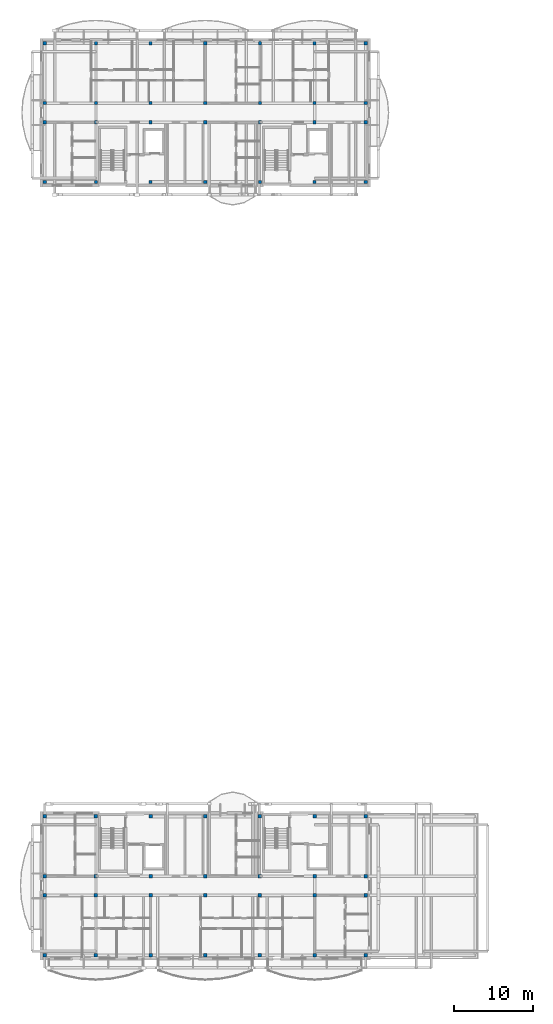
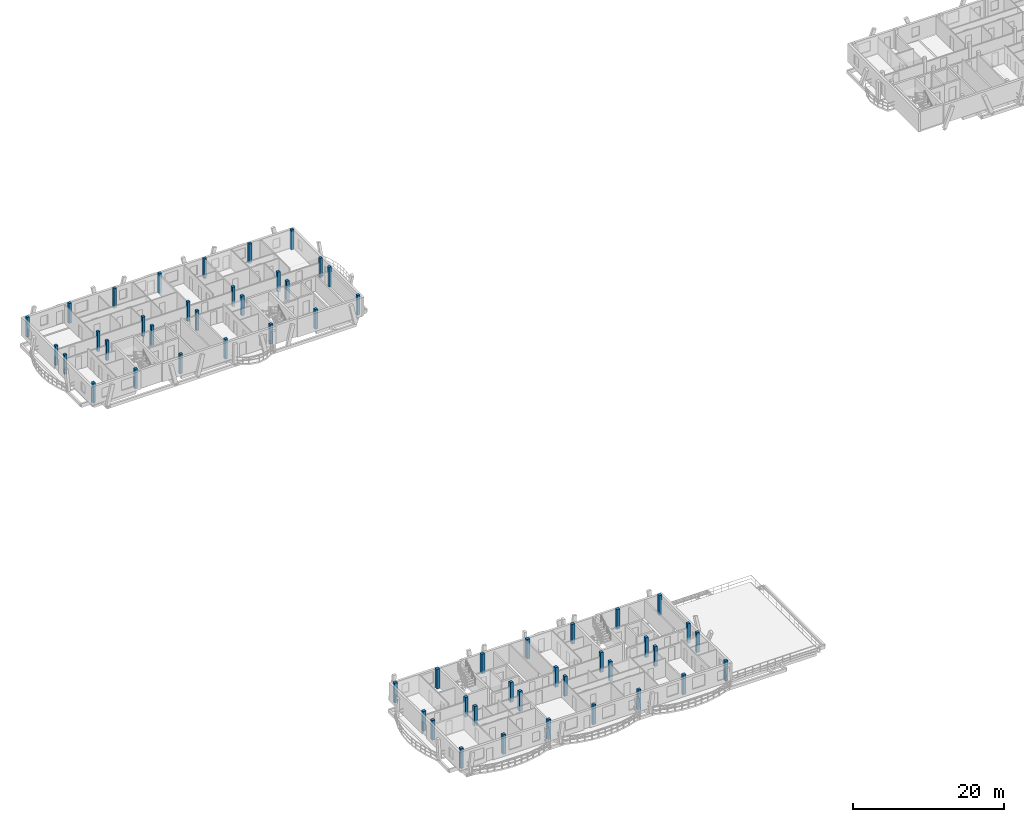
# One storey, part 1 of 33: 56 columns.
"""IFC4 building model written with IfcOpenShell, lengths in metres."""

from ifc_helpers import new_model, si_unit, direction, frame, origin, origin_2d, place, context, subcontext, project, spatial, rectangle, extrude, material, material_profile, profile_set, type_object, element, save


model = new_model("IFC4")

# Units and contexts
model_context = context("Model", 3, precision=1e-05, world=origin(), true_north=direction((0.0, 1.0)))
body_context = subcontext(model_context, "Body", "Model", "MODEL_VIEW")
ifc_project = project(units=[si_unit("LENGTHUNIT", "METRE"), si_unit("AREAUNIT", "SQUARE_METRE"), si_unit("VOLUMEUNIT", "CUBIC_METRE"), si_unit("PLANEANGLEUNIT", "RADIAN"), si_unit("MASSUNIT", "GRAM", prefix="KILO")], contexts=[model_context])

# Site, building, storey
site_placement = place(None, origin())
site = spatial("IfcSite", under=ifc_project, at=site_placement, CompositionType="ELEMENT")
building_placement = place(site_placement, origin())
building = spatial("IfcBuilding", under=site, at=building_placement, Name="Zavelmont Quarter", CompositionType="ELEMENT")
storey_placement = place(building_placement, frame((0.0, 0.0, 30.39990234375)))
storey = spatial("IfcBuildingStorey", under=building, at=storey_placement, Name="L09", CompositionType="ELEMENT", Elevation=30.39990234375)

# Columns
ifc_material = material(Name="Concrete C35/45", Category="concrete")
ifc_material_profile_1 = material_profile(ifc_material, rectangle(XDim=0.449951171875, YDim=0.449951171875, at=origin_2d()), Name="RC450X450")
ifc_profile_set_1 = profile_set([ifc_material_profile_1], Name="Concrete C35/45")
column_type_1 = type_object("IfcColumnType", Name="CL04", PredefinedType="COLUMN", material=ifc_profile_set_1)
for number, where, z_axis, x_axis, name in (
    (1, (0.43994140625, 0.43994140625, 0.0), (0.0, 0.0, 1.0), (1.0, 0.0, 0.0), "L09 column CL04 at 1/A"),
    (2, (0.43994140625, 8.0, 0.0), (0.0, 0.0, 1.0), (1.0, 0.0, 0.0), "L09 column CL04 at 1/B"),
    (3, (0.43994140625, 10.39990234375, 0.0), (0.0, 0.0, 1.0), (1.0, 0.0, 0.0), "L09 column CL04 at 1/C"),
    (4, (0.43994140625, 17.9599609375, 0.0), (0.0, 0.0, 1.0), (1.0, 0.0, 0.0), "L09 column CL04 at 1/D"),
    (5, (6.89990234375, 0.43994140625, 0.0), (0.0, 0.0, 1.0), (1.0, 0.0, 0.0), "L09 column CL04 at 2/A"),
    (6, (6.89990234375, 8.0, 0.0), (0.0, 0.0, 1.0), (1.0, 0.0, 0.0), "L09 column CL04 at 2/B"),
    (7, (6.89990234375, 10.39990234375, 0.0), (0.0, 0.0, 1.0), (1.0, 0.0, 0.0), "L09 column CL04 at 2/C"),
    (8, (6.89990234375, 17.9599609375, 0.0), (0.0, 0.0, 1.0), (1.0, 0.0, 0.0), "L09 column CL04 at 2/D"),
    (9, (13.800048828125, 0.43994140625, 0.0), (0.0, 0.0, 1.0), (1.0, 0.0, 0.0), "L09 column CL04 at 3/A"),
    (10, (13.800048828125, 8.0, 0.0), (0.0, 0.0, 1.0), (1.0, 0.0, 0.0), "L09 column CL04 at 3/B"),
    (11, (13.800048828125, 10.39990234375, 0.0), (0.0, 0.0, 1.0), (1.0, 0.0, 0.0), "L09 column CL04 at 3/C"),
    (12, (13.800048828125, 17.9599609375, 0.0), (0.0, 0.0, 1.0), (1.0, 0.0, 0.0), "L09 column CL04 at 3/D"),
    (13, (20.699951171875, 0.43994140625, 0.0), (0.0, 0.0, 1.0), (1.0, 0.0, 0.0), "L09 column CL04 at 4/A"),
    (14, (20.699951171875, 8.0, 0.0), (0.0, 0.0, 1.0), (1.0, 0.0, 0.0), "L09 column CL04 at 4/B"),
    (15, (20.699951171875, 10.39990234375, 0.0), (0.0, 0.0, 1.0), (1.0, 0.0, 0.0), "L09 column CL04 at 4/C"),
    (16, (20.699951171875, 17.9599609375, 0.0), (0.0, 0.0, 1.0), (1.0, 0.0, 0.0), "L09 column CL04 at 4/D"),
    (17, (27.60009765625, 0.43994140625, 0.0), (0.0, 0.0, 1.0), (1.0, 0.0, 0.0), "L09 column CL04 at 5/A"),
    (18, (27.60009765625, 8.0, 0.0), (0.0, 0.0, 1.0), (1.0, 0.0, 0.0), "L09 column CL04 at 5/B"),
    (19, (27.60009765625, 10.39990234375, 0.0), (0.0, 0.0, 1.0), (1.0, 0.0, 0.0), "L09 column CL04 at 5/C"),
    (20, (27.60009765625, 17.9599609375, 0.0), (0.0, 0.0, 1.0), (1.0, 0.0, 0.0), "L09 column CL04 at 5/D"),
    (21, (34.5, 0.43994140625, 0.0), (0.0, 0.0, 1.0), (1.0, 0.0, 0.0), "L09 column CL04 at 6/A"),
    (22, (34.5, 8.0, 0.0), (0.0, 0.0, 1.0), (1.0, 0.0, 0.0), "L09 column CL04 at 6/B"),
    (23, (34.5, 10.39990234375, 0.0), (0.0, 0.0, 1.0), (1.0, 0.0, 0.0), "L09 column CL04 at 6/C"),
    (24, (34.5, 17.9599609375, 0.0), (0.0, 0.0, 1.0), (1.0, 0.0, 0.0), "L09 column CL04 at 6/D"),
    (25, (40.9599609375, 0.43994140625, 0.0), (0.0, 0.0, 1.0), (1.0, 0.0, 0.0), "L09 column CL04 at 7/A"),
    (26, (40.9599609375, 8.0, 0.0), (0.0, 0.0, 1.0), (1.0, 0.0, 0.0), "L09 column CL04 at 7/B"),
    (27, (40.9599609375, 10.39990234375, 0.0), (0.0, 0.0, 1.0), (1.0, 0.0, 0.0), "L09 column CL04 at 7/C"),
    (28, (40.9599609375, 17.9599609375, 0.0), (0.0, 0.0, 1.0), (1.0, 0.0, 0.0), "L09 column CL04 at 7/D"),
):
    element("IfcColumn", number, at=place(storey_placement, frame(where, z_axis=z_axis, x_axis=x_axis)), inside=storey, type_object=column_type_1, Name=name, PredefinedType="COLUMN", context=body_context, shape_type="SweptSolid", body=[
        extrude(rectangle(XDim=0.449951171875, YDim=0.449951171875, at=origin_2d()), origin(), (0.0, 0.0, 1.0), 3.2001953125),
    ])
ifc_material_profile_2 = material_profile(ifc_material, rectangle(XDim=0.39990234375, YDim=0.39990234375, at=origin_2d()), Name="RC400X400")
ifc_profile_set_2 = profile_set([ifc_material_profile_2], Name="Concrete C35/45")
column_type_2 = type_object("IfcColumnType", Name="CL05", PredefinedType="COLUMN", material=ifc_profile_set_2)
for number, where, z_axis, x_axis, name in (
    (29, (0.43994140625, 98.0400390625, 0.0), (0.0, 0.0, 1.0), (1.0, 0.0, 0.0), "L09 column CL05 at 1/P"),
    (30, (0.43994140625, 105.60009765625, 0.0), (0.0, 0.0, 1.0), (1.0, 0.0, 0.0), "L09 column CL05 at 1/Q"),
    (31, (0.43994140625, 108.0, 0.0), (0.0, 0.0, 1.0), (1.0, 0.0, 0.0), "L09 column CL05 at 1/R"),
    (32, (0.43994140625, 115.56005859375, 0.0), (0.0, 0.0, 1.0), (1.0, 0.0, 0.0), "L09 column CL05 at 1/S"),
    (33, (6.89990234375, 98.0400390625, 0.0), (0.0, 0.0, 1.0), (1.0, 0.0, 0.0), "L09 column CL05 at 2/P"),
    (34, (6.89990234375, 105.60009765625, 0.0), (0.0, 0.0, 1.0), (1.0, 0.0, 0.0), "L09 column CL05 at 2/Q"),
    (35, (6.89990234375, 108.0, 0.0), (0.0, 0.0, 1.0), (1.0, 0.0, 0.0), "L09 column CL05 at 2/R"),
    (36, (6.89990234375, 115.56005859375, 0.0), (0.0, 0.0, 1.0), (1.0, 0.0, 0.0), "L09 column CL05 at 2/S"),
    (37, (13.800048828125, 98.0400390625, 0.0), (0.0, 0.0, 1.0), (1.0, 0.0, 0.0), "L09 column CL05 at 3/P"),
    (38, (13.800048828125, 105.60009765625, 0.0), (0.0, 0.0, 1.0), (1.0, 0.0, 0.0), "L09 column CL05 at 3/Q"),
    (39, (13.800048828125, 108.0, 0.0), (0.0, 0.0, 1.0), (1.0, 0.0, 0.0), "L09 column CL05 at 3/R"),
    (40, (13.800048828125, 115.56005859375, 0.0), (0.0, 0.0, 1.0), (1.0, 0.0, 0.0), "L09 column CL05 at 3/S"),
    (41, (20.699951171875, 98.0400390625, 0.0), (0.0, 0.0, 1.0), (1.0, 0.0, 0.0), "L09 column CL05 at 4/P"),
    (42, (20.699951171875, 105.60009765625, 0.0), (0.0, 0.0, 1.0), (1.0, 0.0, 0.0), "L09 column CL05 at 4/Q"),
    (43, (20.699951171875, 108.0, 0.0), (0.0, 0.0, 1.0), (1.0, 0.0, 0.0), "L09 column CL05 at 4/R"),
    (44, (20.699951171875, 115.56005859375, 0.0), (0.0, 0.0, 1.0), (1.0, 0.0, 0.0), "L09 column CL05 at 4/S"),
    (45, (27.60009765625, 98.0400390625, 0.0), (0.0, 0.0, 1.0), (1.0, 0.0, 0.0), "L09 column CL05 at 5/P"),
    (46, (27.60009765625, 105.60009765625, 0.0), (0.0, 0.0, 1.0), (1.0, 0.0, 0.0), "L09 column CL05 at 5/Q"),
    (47, (27.60009765625, 108.0, 0.0), (0.0, 0.0, 1.0), (1.0, 0.0, 0.0), "L09 column CL05 at 5/R"),
    (48, (27.60009765625, 115.56005859375, 0.0), (0.0, 0.0, 1.0), (1.0, 0.0, 0.0), "L09 column CL05 at 5/S"),
    (49, (34.5, 98.0400390625, 0.0), (0.0, 0.0, 1.0), (1.0, 0.0, 0.0), "L09 column CL05 at 6/P"),
    (50, (34.5, 105.60009765625, 0.0), (0.0, 0.0, 1.0), (1.0, 0.0, 0.0), "L09 column CL05 at 6/Q"),
    (51, (34.5, 108.0, 0.0), (0.0, 0.0, 1.0), (1.0, 0.0, 0.0), "L09 column CL05 at 6/R"),
    (52, (34.5, 115.56005859375, 0.0), (0.0, 0.0, 1.0), (1.0, 0.0, 0.0), "L09 column CL05 at 6/S"),
    (53, (40.9599609375, 98.0400390625, 0.0), (0.0, 0.0, 1.0), (1.0, 0.0, 0.0), "L09 column CL05 at 7/P"),
    (54, (40.9599609375, 105.60009765625, 0.0), (0.0, 0.0, 1.0), (1.0, 0.0, 0.0), "L09 column CL05 at 7/Q"),
    (55, (40.9599609375, 108.0, 0.0), (0.0, 0.0, 1.0), (1.0, 0.0, 0.0), "L09 column CL05 at 7/R"),
    (56, (40.9599609375, 115.56005859375, 0.0), (0.0, 0.0, 1.0), (1.0, 0.0, 0.0), "L09 column CL05 at 7/S"),
):
    element("IfcColumn", number, at=place(storey_placement, frame(where, z_axis=z_axis, x_axis=x_axis)), inside=storey, type_object=column_type_2, Name=name, PredefinedType="COLUMN", context=body_context, shape_type="SweptSolid", body=[
        extrude(rectangle(XDim=0.39990234375, YDim=0.39990234375, at=origin_2d()), origin(), (0.0, 0.0, 1.0), 3.2001953125),
    ])

save(model, "model.ifc")
